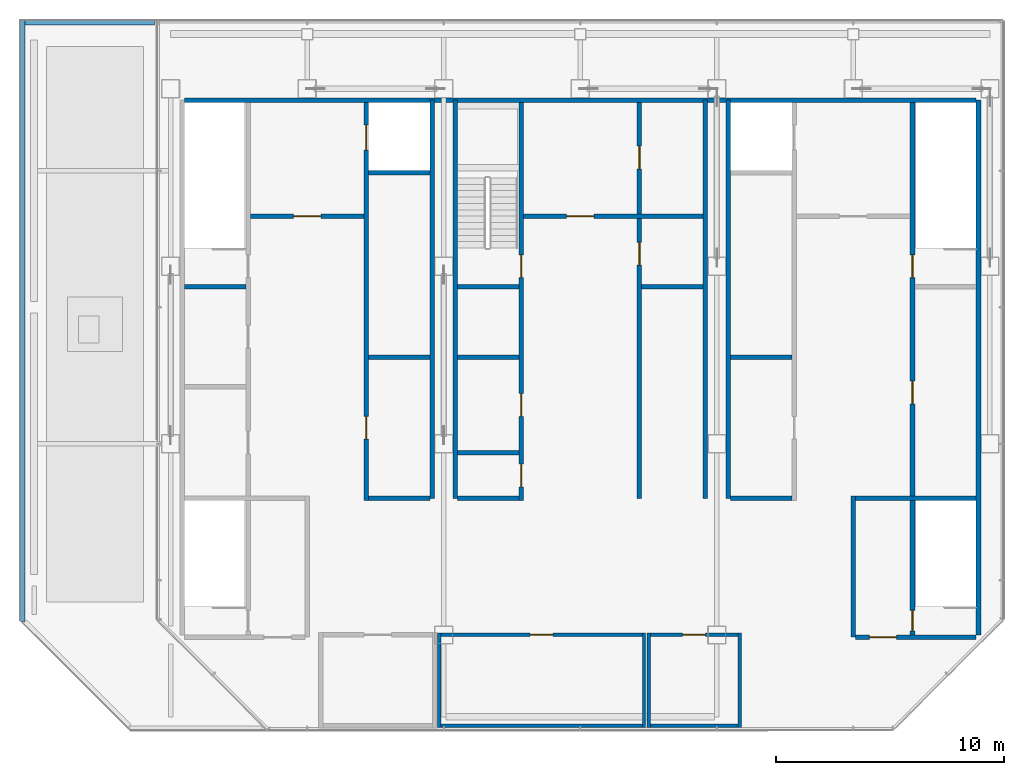
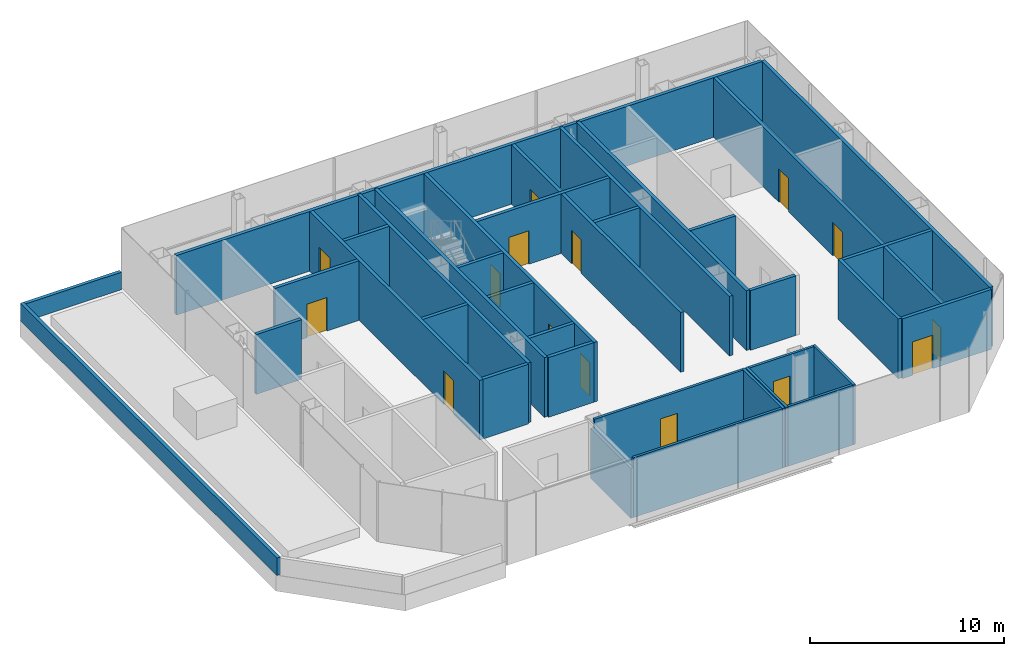
# One storey, part 9 of 12: 36 walls, 15 doors, 15 openings.
"""IFC4 building model written with IfcOpenShell, lengths in metres."""

from ifc_helpers import new_model, si_unit, direction, frame, frame_2d, origin, place, context, subcontext, project, spatial, rectangle, extrude, material, layer, layer_set, type_object, element, fill, save


model = new_model("IFC4")

# Units and contexts
model_context = context("Model", 3, precision=1e-05, world=origin(), true_north=direction((0.0, 1.0)))
body_context = subcontext(model_context, "Body", "Model", "MODEL_VIEW")
ifc_project = project(units=[si_unit("LENGTHUNIT", "METRE"), si_unit("AREAUNIT", "SQUARE_METRE"), si_unit("VOLUMEUNIT", "CUBIC_METRE"), si_unit("PLANEANGLEUNIT", "RADIAN"), si_unit("MASSUNIT", "GRAM", prefix="KILO")], contexts=[model_context])

# Site, building, storey
site_placement = place(None, origin())
site = spatial("IfcSite", under=ifc_project, at=site_placement, CompositionType="ELEMENT")
building_placement = place(site_placement, origin())
building = spatial("IfcBuilding", under=site, at=building_placement, Name="Sorahane Residences", CompositionType="ELEMENT")
storey_placement = place(building_placement, frame((0.0, 0.0, 353.800048828125)))
storey = spatial("IfcBuildingStorey", under=building, at=storey_placement, Name="L84", CompositionType="ELEMENT", Elevation=353.800048828125)

# Walls
ifc_material_1 = material(Name="Concrete C30", Category="concrete")
ifc_layer_1 = layer(ifc_material_1, 0.199951171875)
ifc_layer_set_1 = layer_set([ifc_layer_1], Name="Core face wall 200 EI 180")
wall_type_1 = type_object("IfcWallType", Name="Core face wall 200 EI 180", PredefinedType="SOLIDWALL", material=ifc_layer_set_1)
wall_1_placement = place(storey_placement, frame((41.5, 21.60009765625, 0.0), z_axis=(0.0, 0.0, 1.0), x_axis=(0.0, 1.0, 0.0)))
element("IfcWall", 1, at=wall_1_placement, inside=storey, type_object=wall_type_1, Name="L84 core face wall", PredefinedType="SOLIDWALL", context=body_context, shape_type="SweptSolid", body=[
    extrude(rectangle(XDim=23.5, YDim=0.199951171875, at=frame_2d((11.75, 0.0))), origin(), (0.0, 0.0, 1.0), 3.75),
])
wall_2_placement = place(storey_placement, frame((6.60009765625, 45.10009765625, 0.0), z_axis=(0.0, 0.0, 1.0), x_axis=(1.0, 0.0, 0.0)))
element("IfcWall", 2, at=wall_2_placement, inside=storey, type_object=wall_type_1, Name="L84 core face wall", PredefinedType="SOLIDWALL", context=body_context, shape_type="SweptSolid", body=[
    extrude(rectangle(XDim=34.7998046875, YDim=0.199951171875, at=frame_2d((17.39990234375, 0.0))), origin(), (0.0, 0.0, 1.0), 3.75),
])
for number, where, z_axis, x_axis, name in (
    (3, (17.5, 27.60009765625, 0.0), (0.0, 0.0, 1.0), (0.0, 1.0, 0.0), "L84 core face wall"),
    (4, (18.5, 27.60009765625, 0.0), (0.0, 0.0, 1.0), (0.0, 1.0, 0.0), "L84 core face wall"),
    (5, (29.5, 27.60009765625, 0.0), (0.0, 0.0, 1.0), (0.0, 1.0, 0.0), "L84 core face wall"),
    (6, (30.5, 27.60009765625, 0.0), (0.0, 0.0, 1.0), (0.0, 1.0, 0.0), "L84 core face wall"),
):
    element("IfcWall", number, at=place(storey_placement, frame(where, z_axis=z_axis, x_axis=x_axis)), inside=storey, type_object=wall_type_1, Name=name, PredefinedType="SOLIDWALL", context=body_context, shape_type="SweptSolid", body=[
        extrude(rectangle(XDim=17.5, YDim=0.199951171875, at=frame_2d((8.75, 0.0))), origin(), (0.0, 0.0, 1.0), 3.75),
    ])

# Wall, openings, doors
ifc_material_2 = material(Name="Concrete C30", Category="concrete")
ifc_layer_2 = layer(ifc_material_2, 0.199951171875)
ifc_layer_set_2 = layer_set([ifc_layer_2], Name="Front room wall 200 EI 120")
wall_type_2 = type_object("IfcWallType", Name="Front room wall 200 EI 120", PredefinedType="PARTITIONING", material=ifc_layer_set_2)
wall_3_placement = place(storey_placement, frame((26.60009765625, 27.60009765625, 0.0), z_axis=(0.0, 0.0, 1.0), x_axis=(0.0, 1.0, 0.0)))
wall_3 = element("IfcWall", 7, at=wall_3_placement, inside=storey, type_object=wall_type_2, Name="L84 front room wall", PredefinedType="PARTITIONING", context=body_context, shape_type="SweptSolid", body=[
    extrude(rectangle(XDim=17.39990234375, YDim=0.199951171875, at=frame_2d((8.699951171875, 0.0))), origin(), (0.0, 0.0, 1.0), 3.75),
])
opening_1_placement = place(wall_3_placement, frame((10.25, 0.0, 0.0)))
opening_1 = element("IfcOpeningElement", 8, at=opening_1_placement, cuts=wall_3, Name="Opening L84-C20", PredefinedType="OPENING", context=body_context, shape_type="SweptSolid", body=[
    extrude(rectangle(XDim=1.0, YDim=2.10009765625, at=frame_2d((0.5, 1.050048828125))), frame((0.0, 0.10986328125, 0.0), z_axis=(0.0, -1.0, 0.0), x_axis=(1.0, 0.0, 0.0)), (0.0, 0.0, 1.0), 0.219970703125),
])
opening_2_placement = place(wall_3_placement, frame((14.47509765625, 0.0, 0.0)))
opening_2 = element("IfcOpeningElement", 9, at=opening_2_placement, cuts=wall_3, Name="Opening L84-C21", PredefinedType="OPENING", context=body_context, shape_type="SweptSolid", body=[
    extrude(rectangle(XDim=1.0, YDim=2.10009765625, at=frame_2d((0.5, 1.050048828125))), frame((0.0, 0.10986328125, 0.0), z_axis=(0.0, -1.0, 0.0), x_axis=(1.0, 0.0, 0.0)), (0.0, 0.0, 1.0), 0.219970703125),
])
ifc_material_3 = material(Name="Steel", Category="steel")
door_type_1 = type_object("IfcDoorType", Name="Service room door 1000x2100 FD60", OperationType="NOTDEFINED", PredefinedType="DOOR", material=ifc_material_3)
door_1_placement = place(opening_1_placement, frame((1.0, 0.0, 0.0), z_axis=(0.0, 0.0, 1.0), x_axis=(-1.0, 0.0, 0.0)))
door_1 = element("IfcDoor", 10, at=door_1_placement, inside=storey, type_object=door_type_1, Name="Service room door Linen room L84", OperationType="SINGLE_SWING_LEFT", OverallHeight=2.10009765625, OverallWidth=1.0, PredefinedType="DOOR", context=body_context, shape_type="SweptSolid", body=[
    extrude(rectangle(XDim=1.0, YDim=2.10009765625, at=frame_2d((0.5, 1.050048828125))), frame((0.0, 0.02490234375, 0.0), z_axis=(0.0, -1.0, 0.0), x_axis=(1.0, 0.0, 0.0)), (0.0, 0.0, 1.0), 0.050048828125),
])
fill(opening_1, door_1)
door_2_placement = place(opening_2_placement, frame((1.0, 0.0, 0.0), z_axis=(0.0, 0.0, 1.0), x_axis=(-1.0, 0.0, 0.0)))
door_2 = element("IfcDoor", 11, at=door_2_placement, inside=storey, type_object=door_type_1, Name="Service room door Cleaners' store L84", OperationType="SINGLE_SWING_LEFT", OverallHeight=2.10009765625, OverallWidth=1.0, PredefinedType="DOOR", context=body_context, shape_type="SweptSolid", body=[
    extrude(rectangle(XDim=1.0, YDim=2.10009765625, at=frame_2d((0.5, 1.050048828125))), frame((0.0, 0.02490234375, 0.0), z_axis=(0.0, -1.0, 0.0), x_axis=(1.0, 0.0, 0.0)), (0.0, 0.0, 1.0), 0.050048828125),
])
fill(opening_2, door_2)

# Wall
wall_4_placement = place(storey_placement, frame((36.0, 21.5, 0.0), z_axis=(0.0, 0.0, 1.0), x_axis=(0.0, 1.0, 0.0)))
element("IfcWall", 12, at=wall_4_placement, inside=storey, type_object=wall_type_2, Name="L84 front room wall", PredefinedType="PARTITIONING", context=body_context, shape_type="SweptSolid", body=[
    extrude(rectangle(XDim=6.199951171875, YDim=0.199951171875, at=frame_2d((3.10009765625, 0.0))), origin(), (0.0, 0.0, 1.0), 3.75),
])

# Wall, opening, door
wall_5_placement = place(storey_placement, frame((21.5, 40.0, 0.0), z_axis=(0.0, 0.0, 1.0), x_axis=(1.0, 0.0, 0.0)))
wall_5 = element("IfcWall", 13, at=wall_5_placement, inside=storey, type_object=wall_type_2, Name="L84 front room wall", PredefinedType="PARTITIONING", context=body_context, shape_type="SweptSolid", body=[
    extrude(rectangle(XDim=7.89990234375, YDim=0.199951171875, at=frame_2d((3.949951171875, 0.0))), origin(), (0.0, 0.0, 1.0), 3.75),
])
opening_3_placement = place(wall_5_placement, frame((1.89990234375, 0.0, 0.0)))
opening_3 = element("IfcOpeningElement", 14, at=opening_3_placement, cuts=wall_5, Name="Opening L84-C04", PredefinedType="OPENING", context=body_context, shape_type="SweptSolid", body=[
    extrude(rectangle(XDim=1.199951171875, YDim=2.10009765625, at=frame_2d((0.60009765625, 1.050048828125))), frame((0.0, 0.10986328125, 0.0), z_axis=(0.0, -1.0, 0.0), x_axis=(1.0, 0.0, 0.0)), (0.0, 0.0, 1.0), 0.219970703125),
])
ifc_material_4 = material(Name="Steel", Category="steel")
door_type_2 = type_object("IfcDoorType", Name="Front room door 1200x2100 FD120", OperationType="NOTDEFINED", PredefinedType="DOOR", material=ifc_material_4)
door_3_placement = place(opening_3_placement, frame((1.199951171875, 0.0, 0.0), z_axis=(0.0, 0.0, 1.0), x_axis=(-1.0, 0.0, 0.0)))
door_3 = element("IfcDoor", 15, at=door_3_placement, inside=storey, type_object=door_type_2, Name="Front room door Stair S3 vestibule L84", OperationType="DOUBLE_DOOR_SINGLE_SWING", OverallHeight=2.10009765625, OverallWidth=1.199951171875, PredefinedType="DOOR", context=body_context, shape_type="SweptSolid", body=[
    extrude(rectangle(XDim=1.199951171875, YDim=2.10009765625, at=frame_2d((0.60009765625, 1.050048828125))), frame((0.0, 0.02490234375, 0.0), z_axis=(0.0, -1.0, 0.0), x_axis=(1.0, 0.0, 0.0)), (0.0, 0.0, 1.0), 0.050048828125),
])
fill(opening_3, door_3)

wall_6_placement = place(storey_placement, frame((9.5, 40.0, 0.0), z_axis=(0.0, 0.0, 1.0), x_axis=(1.0, 0.0, 0.0)))
wall_6 = element("IfcWall", 16, at=wall_6_placement, inside=storey, type_object=wall_type_2, Name="L84 front room wall", PredefinedType="PARTITIONING", context=body_context, shape_type="SweptSolid", body=[
    extrude(rectangle(XDim=5.0, YDim=0.199951171875, at=frame_2d((2.5, 0.0))), origin(), (0.0, 0.0, 1.0), 3.75),
])
opening_4_placement = place(wall_6_placement, frame((1.89990234375, 0.0, 0.0)))
opening_4 = element("IfcOpeningElement", 17, at=opening_4_placement, cuts=wall_6, Name="Opening L84-C03", PredefinedType="OPENING", context=body_context, shape_type="SweptSolid", body=[
    extrude(rectangle(XDim=1.199951171875, YDim=2.10009765625, at=frame_2d((0.60009765625, 1.050048828125))), frame((0.0, 0.10986328125, 0.0), z_axis=(0.0, -1.0, 0.0), x_axis=(1.0, 0.0, 0.0)), (0.0, 0.0, 1.0), 0.219970703125),
])
door_4_placement = place(opening_4_placement, frame((1.199951171875, 0.0, 0.0), z_axis=(0.0, 0.0, 1.0), x_axis=(-1.0, 0.0, 0.0)))
door_4 = element("IfcDoor", 18, at=door_4_placement, inside=storey, type_object=door_type_2, Name="Front room door Firefighting lobby FF1 front room L84", OperationType="DOUBLE_DOOR_SINGLE_SWING", OverallHeight=2.10009765625, OverallWidth=1.199951171875, PredefinedType="DOOR", context=body_context, shape_type="SweptSolid", body=[
    extrude(rectangle(XDim=1.199951171875, YDim=2.10009765625, at=frame_2d((0.60009765625, 1.050048828125))), frame((0.0, 0.02490234375, 0.0), z_axis=(0.0, -1.0, 0.0), x_axis=(1.0, 0.0, 0.0)), (0.0, 0.0, 1.0), 0.050048828125),
])
fill(opening_4, door_4)

# Wall, openings, doors
ifc_material_5 = material(Name="Concrete C30", Category="concrete")
ifc_layer_3 = layer(ifc_material_5, 0.199951171875)
ifc_layer_set_3 = layer_set([ifc_layer_3], Name="Lift shaft wall 200 EI 120")
wall_type_3 = type_object("IfcWallType", Name="Lift shaft wall 200 EI 120", PredefinedType="SOLIDWALL", material=ifc_layer_set_3)
wall_7_placement = place(storey_placement, frame((14.60009765625, 27.5, 0.0), z_axis=(0.0, 0.0, 1.0), x_axis=(0.0, 1.0, 0.0)))
wall_7 = element("IfcWall", 19, at=wall_7_placement, inside=storey, type_object=wall_type_3, Name="L84 lift shaft wall", PredefinedType="SOLIDWALL", context=body_context, shape_type="SweptSolid", body=[
    extrude(rectangle(XDim=17.5, YDim=0.199951171875, at=frame_2d((8.75, 0.0))), origin(), (0.0, 0.0, 1.0), 3.75),
])
opening_5_placement = place(wall_7_placement, frame((15.39990234375, 0.0, 0.0)))
opening_5 = element("IfcOpeningElement", 20, at=opening_5_placement, cuts=wall_7, Name="Opening L84-C07", PredefinedType="OPENING", context=body_context, shape_type="SweptSolid", body=[
    extrude(rectangle(XDim=1.10009765625, YDim=2.10009765625, at=frame_2d((0.550048828125, 1.050048828125))), frame((0.0, 0.10986328125, 0.0), z_axis=(0.0, -1.0, 0.0), x_axis=(1.0, 0.0, 0.0)), (0.0, 0.0, 1.0), 0.219970703125),
])
opening_6_placement = place(wall_7_placement, frame((2.699951171875, 0.0, 0.0)))
opening_6 = element("IfcOpeningElement", 21, at=opening_6_placement, cuts=wall_7, Name="Opening L84-C12", PredefinedType="OPENING", context=body_context, shape_type="SweptSolid", body=[
    extrude(rectangle(XDim=1.0, YDim=2.10009765625, at=frame_2d((0.5, 1.050048828125))), frame((0.0, 0.10986328125, 0.0), z_axis=(0.0, -1.0, 0.0), x_axis=(1.0, 0.0, 0.0)), (0.0, 0.0, 1.0), 0.219970703125),
])
ifc_material_6 = material(Name="Aluminium and stainless steel", Category="steel")
door_type_3 = type_object("IfcDoorType", Name="Lift landing door 1100x2100 E 60", OperationType="NOTDEFINED", PredefinedType="DOOR", material=ifc_material_6)
door_5_placement = place(opening_5_placement, origin())
door_5 = element("IfcDoor", 22, at=door_5_placement, inside=storey, type_object=door_type_3, Name="Lift landing door FF1 L84", OperationType="DOUBLE_DOOR_SLIDING", OverallHeight=2.10009765625, OverallWidth=1.10009765625, PredefinedType="DOOR", context=body_context, shape_type="SweptSolid", body=[
    extrude(rectangle(XDim=1.10009765625, YDim=2.10009765625, at=frame_2d((0.550048828125, 1.050048828125))), frame((0.0, 0.02490234375, 0.0), z_axis=(0.0, -1.0, 0.0), x_axis=(1.0, 0.0, 0.0)), (0.0, 0.0, 1.0), 0.050048828125),
])
fill(opening_5, door_5)
door_6_placement = place(opening_6_placement, frame((1.0, 0.0, 0.0), z_axis=(0.0, 0.0, 1.0), x_axis=(-1.0, 0.0, 0.0)))
door_6 = element("IfcDoor", 23, at=door_6_placement, inside=storey, type_object=door_type_1, Name="Service room door Gift store L84", OperationType="SINGLE_SWING_RIGHT", OverallHeight=2.10009765625, OverallWidth=1.0, PredefinedType="DOOR", context=body_context, shape_type="SweptSolid", body=[
    extrude(rectangle(XDim=1.0, YDim=2.10009765625, at=frame_2d((0.5, 1.050048828125))), frame((0.0, 0.02490234375, 0.0), z_axis=(0.0, -1.0, 0.0), x_axis=(1.0, 0.0, 0.0)), (0.0, 0.0, 1.0), 0.050048828125),
])
fill(opening_6, door_6)

# Walls
wall_8_placement = place(storey_placement, frame((14.699951171875, 41.89990234375, 0.0), z_axis=(0.0, 0.0, 1.0), x_axis=(1.0, 0.0, 0.0)))
element("IfcWall", 24, at=wall_8_placement, inside=storey, type_object=wall_type_3, Name="L84 lift shaft wall", PredefinedType="SOLIDWALL", context=body_context, shape_type="SweptSolid", body=[
    extrude(rectangle(XDim=2.699951171875, YDim=0.199951171875, at=frame_2d((1.35009765625, 0.0))), origin(), (0.0, 0.0, 1.0), 3.75),
])
ifc_material_7 = material(Name="Concrete C35", Category="concrete")
ifc_layer_4 = layer(ifc_material_7, 0.199951171875)
ifc_layer_set_4 = layer_set([ifc_layer_4], Name="Parapet wall Concrete C35 200")
wall_type_4 = type_object("IfcWallType", Name="Parapet wall Concrete C35 200", PredefinedType="PARAPET", material=ifc_layer_set_4)
wall_9_placement = place(storey_placement, frame((-0.5, 22.19287109375, 0.0), z_axis=(0.0, 0.0, 1.0), x_axis=(0.0, 1.0, 0.0)))
element("IfcWall", 25, at=wall_9_placement, inside=storey, type_object=wall_type_4, Name="Roof parapet L84.1.1.3", PredefinedType="PARAPET", context=body_context, shape_type="SweptSolid", body=[
    extrude(rectangle(XDim=26.4072265625, YDim=0.199951171875, at=frame_2d((13.20361328125, 0.0))), origin(), (0.0, 0.0, 1.0), 1.099853515625),
])
wall_10_placement = place(storey_placement, frame((-0.39990234375, 48.5, 0.0), z_axis=(0.0, 0.0, 1.0), x_axis=(1.0, 0.0, 0.0)))
element("IfcWall", 26, at=wall_10_placement, inside=storey, type_object=wall_type_4, Name="Roof parapet L84.1.1.4", PredefinedType="PARAPET", context=body_context, shape_type="SweptSolid", body=[
    extrude(rectangle(XDim=5.699951171875, YDim=0.199951171875, at=frame_2d((2.85009765625, 0.0))), origin(), (0.0, 0.0, 1.0), 1.099853515625),
])
ifc_material_8 = material(Name="Gypsum board partition on steel studs", Category="steel")
ifc_layer_5 = layer(ifc_material_8, 0.14990234375)
ifc_layer_set_5 = layer_set([ifc_layer_5], Name="Partition 150 EI 90")
wall_type_5 = type_object("IfcWallType", Name="Partition 150 EI 90", PredefinedType="PARTITIONING", material=ifc_layer_set_5)
wall_11_placement = place(storey_placement, frame((17.800048828125, 17.52490234375, 0.0), z_axis=(0.0, 0.0, 1.0), x_axis=(0.0, 1.0, 0.0)))
element("IfcWall", 27, at=wall_11_placement, inside=storey, type_object=wall_type_5, Name="L84 partition", PredefinedType="PARTITIONING", context=body_context, shape_type="SweptSolid", body=[
    extrude(rectangle(XDim=4.150146484375, YDim=0.14990234375, at=frame_2d((2.0751953125, 0.0))), origin(), (0.0, 0.0, 1.0), 3.14990234375),
])
for number, where, z_axis, x_axis, name in (
    (28, (26.800048828125, 17.52490234375, 0.0), (0.0, 0.0, 1.0), (0.0, 1.0, 0.0), "L84 partition"),
    (29, (27.0, 17.52490234375, 0.0), (0.0, 0.0, 1.0), (0.0, 1.0, 0.0), "L84 partition"),
    (30, (31.0, 17.52490234375, 0.0), (0.0, 0.0, 1.0), (0.0, 1.0, 0.0), "L84 partition"),
):
    element("IfcWall", number, at=place(storey_placement, frame(where, z_axis=z_axis, x_axis=x_axis)), inside=storey, type_object=wall_type_5, Name=name, PredefinedType="PARTITIONING", context=body_context, shape_type="SweptSolid", body=[
        extrude(rectangle(XDim=4.150146484375, YDim=0.14990234375, at=frame_2d((2.0751953125, 0.0))), origin(), (0.0, 0.0, 1.0), 3.75),
    ])
wall_12_placement = place(storey_placement, frame((17.875, 17.60009765625, 0.0), z_axis=(0.0, 0.0, 1.0), x_axis=(1.0, 0.0, 0.0)))
element("IfcWall", 31, at=wall_12_placement, inside=storey, type_object=wall_type_5, Name="L84 partition", PredefinedType="PARTITIONING", context=body_context, shape_type="SweptSolid", body=[
    extrude(rectangle(XDim=8.85009765625, YDim=0.14990234375, at=frame_2d((4.425048828125, 0.0))), origin(), (0.0, 0.0, 1.0), 3.75),
])
wall_13_placement = place(storey_placement, frame((27.074951171875, 17.60009765625, 0.0), z_axis=(0.0, 0.0, 1.0), x_axis=(1.0, 0.0, 0.0)))
element("IfcWall", 32, at=wall_13_placement, inside=storey, type_object=wall_type_5, Name="L84 partition", PredefinedType="PARTITIONING", context=body_context, shape_type="SweptSolid", body=[
    extrude(rectangle(XDim=3.85009765625, YDim=0.14990234375, at=frame_2d((1.925048828125, 0.0))), origin(), (0.0, 0.0, 1.0), 3.75),
])

# Wall, opening, door
wall_14_placement = place(storey_placement, frame((17.875, 21.60009765625, 0.0), z_axis=(0.0, 0.0, 1.0), x_axis=(1.0, 0.0, 0.0)))
wall_14 = element("IfcWall", 33, at=wall_14_placement, inside=storey, type_object=wall_type_5, Name="L84 partition", PredefinedType="PARTITIONING", context=body_context, shape_type="SweptSolid", body=[
    extrude(rectangle(XDim=8.85009765625, YDim=0.14990234375, at=frame_2d((4.425048828125, 0.0))), origin(), (0.0, 0.0, 1.0), 3.75),
])
opening_7_placement = place(wall_14_placement, frame((3.925048828125, 0.0, 0.0)))
opening_7 = element("IfcOpeningElement", 34, at=opening_7_placement, cuts=wall_14, Name="Opening L84-02", PredefinedType="OPENING", context=body_context, shape_type="SweptSolid", body=[
    extrude(rectangle(XDim=1.0, YDim=2.39990234375, at=frame_2d((0.5, 1.199951171875))), frame((0.0, 0.0849609375, 0.0), z_axis=(0.0, -1.0, 0.0), x_axis=(1.0, 0.0, 0.0)), (0.0, 0.0, 1.0), 0.169921875),
])
ifc_material_9 = material(Name="Timber veneered fire door", Category="wood")
door_type_4 = type_object("IfcDoorType", Name="Room door 1000x2400 FD30", OperationType="NOTDEFINED", PredefinedType="DOOR", material=ifc_material_9)
door_7_placement = place(opening_7_placement, origin())
door_7 = element("IfcDoor", 35, at=door_7_placement, inside=storey, type_object=door_type_4, Name="Room door L84-02", OperationType="SINGLE_SWING_RIGHT", OverallHeight=2.39990234375, OverallWidth=1.0, PredefinedType="DOOR", context=body_context, shape_type="SweptSolid", body=[
    extrude(rectangle(XDim=1.0, YDim=2.39990234375, at=frame_2d((0.5, 1.199951171875))), frame((0.0, 0.02490234375, 0.0), z_axis=(0.0, -1.0, 0.0), x_axis=(1.0, 0.0, 0.0)), (0.0, 0.0, 1.0), 0.050048828125),
])
fill(opening_7, door_7)

wall_15_placement = place(storey_placement, frame((27.074951171875, 21.60009765625, 0.0), z_axis=(0.0, 0.0, 1.0), x_axis=(1.0, 0.0, 0.0)))
wall_15 = element("IfcWall", 36, at=wall_15_placement, inside=storey, type_object=wall_type_5, Name="L84 partition", PredefinedType="PARTITIONING", context=body_context, shape_type="SweptSolid", body=[
    extrude(rectangle(XDim=3.85009765625, YDim=0.14990234375, at=frame_2d((1.925048828125, 0.0))), origin(), (0.0, 0.0, 1.0), 3.75),
])
opening_8_placement = place(wall_15_placement, frame((1.425048828125, 0.0, 0.0)))
opening_8 = element("IfcOpeningElement", 37, at=opening_8_placement, cuts=wall_15, Name="Opening L84-03", PredefinedType="OPENING", context=body_context, shape_type="SweptSolid", body=[
    extrude(rectangle(XDim=1.0, YDim=2.39990234375, at=frame_2d((0.5, 1.199951171875))), frame((0.0, 0.0849609375, 0.0), z_axis=(0.0, -1.0, 0.0), x_axis=(1.0, 0.0, 0.0)), (0.0, 0.0, 1.0), 0.169921875),
])
door_8_placement = place(opening_8_placement, frame((1.0, 0.0, 0.0), z_axis=(0.0, 0.0, 1.0), x_axis=(-1.0, 0.0, 0.0)))
door_8 = element("IfcDoor", 38, at=door_8_placement, inside=storey, type_object=door_type_4, Name="Room door L84-03", OperationType="SINGLE_SWING_RIGHT", OverallHeight=2.39990234375, OverallWidth=1.0, PredefinedType="DOOR", context=body_context, shape_type="SweptSolid", body=[
    extrude(rectangle(XDim=1.0, YDim=2.39990234375, at=frame_2d((0.5, 1.199951171875))), frame((0.0, 0.02490234375, 0.0), z_axis=(0.0, -1.0, 0.0), x_axis=(1.0, 0.0, 0.0)), (0.0, 0.0, 1.0), 0.050048828125),
])
fill(opening_8, door_8)

# Walls
ifc_material_10 = material(Name="Concrete C30", Category="concrete")
ifc_layer_6 = layer(ifc_material_10, 0.199951171875)
ifc_layer_set_6 = layer_set([ifc_layer_6], Name="Service room partition 200 EI 60")
wall_type_6 = type_object("IfcWallType", Name="Service room partition 200 EI 60", PredefinedType="PARTITIONING", material=ifc_layer_set_6)
for number, where, z_axis, x_axis, name in (
    (39, (14.699951171875, 27.60009765625, 0.0), (0.0, 0.0, 1.0), (1.0, 0.0, 0.0), "L84 service room wall"),
    (40, (18.60009765625, 27.60009765625, 0.0), (0.0, 0.0, 1.0), (1.0, 0.0, 0.0), "L84 service room wall"),
    (41, (30.60009765625, 27.60009765625, 0.0), (0.0, 0.0, 1.0), (1.0, 0.0, 0.0), "L84 service room wall"),
    (42, (18.60009765625, 29.60009765625, 0.0), (0.0, 0.0, 1.0), (1.0, 0.0, 0.0), "L84 service room wall"),
    (43, (14.699951171875, 33.800048828125, 0.0), (0.0, 0.0, 1.0), (1.0, 0.0, 0.0), "L84 service room wall"),
    (44, (18.60009765625, 33.800048828125, 0.0), (0.0, 0.0, 1.0), (1.0, 0.0, 0.0), "L84 service room wall"),
    (45, (30.60009765625, 33.800048828125, 0.0), (0.0, 0.0, 1.0), (1.0, 0.0, 0.0), "L84 service room wall"),
    (46, (26.699951171875, 36.89990234375, 0.0), (0.0, 0.0, 1.0), (1.0, 0.0, 0.0), "L84 service room wall"),
):
    element("IfcWall", number, at=place(storey_placement, frame(where, z_axis=z_axis, x_axis=x_axis)), inside=storey, type_object=wall_type_6, Name=name, PredefinedType="PARTITIONING", context=body_context, shape_type="SweptSolid", body=[
        extrude(rectangle(XDim=2.699951171875, YDim=0.199951171875, at=frame_2d((1.35009765625, 0.0))), origin(), (0.0, 0.0, 1.0), 3.75),
    ])

# Wall, openings, doors
ifc_material_11 = material(Name="Concrete C30", Category="concrete")
ifc_layer_7 = layer(ifc_material_11, 0.199951171875)
ifc_layer_set_7 = layer_set([ifc_layer_7], Name="Stair enclosure wall 200 EI 120")
wall_type_7 = type_object("IfcWallType", Name="Stair enclosure wall 200 EI 120", PredefinedType="SOLIDWALL", material=ifc_layer_set_7)
wall_16_placement = place(storey_placement, frame((21.39990234375, 27.5, 0.0), z_axis=(0.0, 0.0, 1.0), x_axis=(0.0, 1.0, 0.0)))
wall_16 = element("IfcWall", 47, at=wall_16_placement, inside=storey, type_object=wall_type_7, Name="L84 stair enclosure wall", PredefinedType="SOLIDWALL", context=body_context, shape_type="SweptSolid", body=[
    extrude(rectangle(XDim=17.5, YDim=0.199951171875, at=frame_2d((8.75, 0.0))), origin(), (0.0, 0.0, 1.0), 3.75),
])
opening_9_placement = place(wall_16_placement, frame((0.60009765625, 0.0, 0.0)))
opening_9 = element("IfcOpeningElement", 48, at=opening_9_placement, cuts=wall_16, Name="Opening L84-C08", PredefinedType="OPENING", context=body_context, shape_type="SweptSolid", body=[
    extrude(rectangle(XDim=1.0, YDim=2.10009765625, at=frame_2d((0.5, 1.050048828125))), frame((0.0, 0.10986328125, 0.0), z_axis=(0.0, -1.0, 0.0), x_axis=(1.0, 0.0, 0.0)), (0.0, 0.0, 1.0), 0.219970703125),
])
opening_10_placement = place(wall_16_placement, frame((3.699951171875, 0.0, 0.0)))
opening_10 = element("IfcOpeningElement", 49, at=opening_10_placement, cuts=wall_16, Name="Opening L84-C09", PredefinedType="OPENING", context=body_context, shape_type="SweptSolid", body=[
    extrude(rectangle(XDim=1.0, YDim=2.10009765625, at=frame_2d((0.5, 1.050048828125))), frame((0.0, 0.10986328125, 0.0), z_axis=(0.0, -1.0, 0.0), x_axis=(1.0, 0.0, 0.0)), (0.0, 0.0, 1.0), 0.219970703125),
])
opening_11_placement = place(wall_16_placement, frame((9.800048828125, 0.0, 0.0)))
opening_11 = element("IfcOpeningElement", 50, at=opening_11_placement, cuts=wall_16, Name="Opening L84-C17", PredefinedType="OPENING", context=body_context, shape_type="SweptSolid", body=[
    extrude(rectangle(XDim=1.0, YDim=2.10009765625, at=frame_2d((0.5, 1.050048828125))), frame((0.0, 0.10986328125, 0.0), z_axis=(0.0, -1.0, 0.0), x_axis=(1.0, 0.0, 0.0)), (0.0, 0.0, 1.0), 0.219970703125),
])
door_9_placement = place(opening_9_placement, origin())
door_9 = element("IfcDoor", 51, at=door_9_placement, inside=storey, type_object=door_type_1, Name="Service room door Wine store L84", OperationType="SINGLE_SWING_LEFT", OverallHeight=2.10009765625, OverallWidth=1.0, PredefinedType="DOOR", context=body_context, shape_type="SweptSolid", body=[
    extrude(rectangle(XDim=1.0, YDim=2.10009765625, at=frame_2d((0.5, 1.050048828125))), frame((0.0, 0.02490234375, 0.0), z_axis=(0.0, -1.0, 0.0), x_axis=(1.0, 0.0, 0.0)), (0.0, 0.0, 1.0), 0.050048828125),
])
fill(opening_9, door_9)
door_10_placement = place(opening_10_placement, origin())
door_10 = element("IfcDoor", 52, at=door_10_placement, inside=storey, type_object=door_type_1, Name="Service room door Games room L84", OperationType="SINGLE_SWING_RIGHT", OverallHeight=2.10009765625, OverallWidth=1.0, PredefinedType="DOOR", context=body_context, shape_type="SweptSolid", body=[
    extrude(rectangle(XDim=1.0, YDim=2.10009765625, at=frame_2d((0.5, 1.050048828125))), frame((0.0, 0.02490234375, 0.0), z_axis=(0.0, -1.0, 0.0), x_axis=(1.0, 0.0, 0.0)), (0.0, 0.0, 1.0), 0.050048828125),
])
fill(opening_10, door_10)
ifc_material_12 = material(Name="Steel", Category="steel")
door_type_5 = type_object("IfcDoorType", Name="Stair door 1000x2100 FD120", OperationType="NOTDEFINED", PredefinedType="DOOR", material=ifc_material_12)
door_11_placement = place(opening_11_placement, origin())
door_11 = element("IfcDoor", 53, at=door_11_placement, inside=storey, type_object=door_type_5, Name="Stair door S3 L84", OperationType="SINGLE_SWING_LEFT", OverallHeight=2.10009765625, OverallWidth=1.0, PredefinedType="DOOR", context=body_context, shape_type="SweptSolid", body=[
    extrude(rectangle(XDim=1.0, YDim=2.10009765625, at=frame_2d((0.5, 1.050048828125))), frame((0.0, 0.02490234375, 0.0), z_axis=(0.0, -1.0, 0.0), x_axis=(1.0, 0.0, 0.0)), (0.0, 0.0, 1.0), 0.050048828125),
])
fill(opening_11, door_11)

wall_17_placement = place(storey_placement, frame((38.60009765625, 21.5, 0.0), z_axis=(0.0, 0.0, 1.0), x_axis=(0.0, 1.0, 0.0)))
wall_17 = element("IfcWall", 54, at=wall_17_placement, inside=storey, type_object=wall_type_7, Name="L84 stair enclosure wall", PredefinedType="SOLIDWALL", context=body_context, shape_type="SweptSolid", body=[
    extrude(rectangle(XDim=23.5, YDim=0.199951171875, at=frame_2d((11.75, 0.0))), origin(), (0.0, 0.0, 1.0), 3.75),
])
opening_12_placement = place(wall_17_placement, frame((10.25, 0.0, 0.0)))
opening_12 = element("IfcOpeningElement", 55, at=opening_12_placement, cuts=wall_17, Name="Opening L84-C10", PredefinedType="OPENING", context=body_context, shape_type="SweptSolid", body=[
    extrude(rectangle(XDim=1.0, YDim=2.10009765625, at=frame_2d((0.5, 1.050048828125))), frame((0.0, 0.10986328125, 0.0), z_axis=(0.0, -1.0, 0.0), x_axis=(1.0, 0.0, 0.0)), (0.0, 0.0, 1.0), 0.219970703125),
])
opening_13_placement = place(wall_17_placement, frame((15.800048828125, 0.0, 0.0)))
opening_13 = element("IfcOpeningElement", 56, at=opening_13_placement, cuts=wall_17, Name="Opening L84-C16", PredefinedType="OPENING", context=body_context, shape_type="SweptSolid", body=[
    extrude(rectangle(XDim=1.0, YDim=2.10009765625, at=frame_2d((0.5, 1.050048828125))), frame((0.0, 0.10986328125, 0.0), z_axis=(0.0, -1.0, 0.0), x_axis=(1.0, 0.0, 0.0)), (0.0, 0.0, 1.0), 0.219970703125),
])
opening_14_placement = place(wall_17_placement, frame((0.27490234375, 0.0, 0.0)))
opening_14 = element("IfcOpeningElement", 57, at=opening_14_placement, cuts=wall_17, Name="Opening L84-C19", PredefinedType="OPENING", context=body_context, shape_type="SweptSolid", body=[
    extrude(rectangle(XDim=0.89990234375, YDim=2.10009765625, at=frame_2d((0.449951171875, 1.050048828125))), frame((0.0, 0.10986328125, 0.0), z_axis=(0.0, -1.0, 0.0), x_axis=(1.0, 0.0, 0.0)), (0.0, 0.0, 1.0), 0.219970703125),
])
door_12_placement = place(opening_12_placement, frame((1.0, 0.0, 0.0), z_axis=(0.0, 0.0, 1.0), x_axis=(-1.0, 0.0, 0.0)))
door_12 = element("IfcDoor", 58, at=door_12_placement, inside=storey, type_object=door_type_1, Name="Service room door Valet store L84", OperationType="SINGLE_SWING_LEFT", OverallHeight=2.10009765625, OverallWidth=1.0, PredefinedType="DOOR", context=body_context, shape_type="SweptSolid", body=[
    extrude(rectangle(XDim=1.0, YDim=2.10009765625, at=frame_2d((0.5, 1.050048828125))), frame((0.0, 0.02490234375, 0.0), z_axis=(0.0, -1.0, 0.0), x_axis=(1.0, 0.0, 0.0)), (0.0, 0.0, 1.0), 0.050048828125),
])
fill(opening_12, door_12)
door_13_placement = place(opening_13_placement, frame((1.0, 0.0, 0.0), z_axis=(0.0, 0.0, 1.0), x_axis=(-1.0, 0.0, 0.0)))
door_13 = element("IfcDoor", 59, at=door_13_placement, inside=storey, type_object=door_type_5, Name="Stair door S2 L84", OperationType="SINGLE_SWING_LEFT", OverallHeight=2.10009765625, OverallWidth=1.0, PredefinedType="DOOR", context=body_context, shape_type="SweptSolid", body=[
    extrude(rectangle(XDim=1.0, YDim=2.10009765625, at=frame_2d((0.5, 1.050048828125))), frame((0.0, 0.02490234375, 0.0), z_axis=(0.0, -1.0, 0.0), x_axis=(1.0, 0.0, 0.0)), (0.0, 0.0, 1.0), 0.050048828125),
])
fill(opening_13, door_13)
ifc_material_13 = material(Name="Steel", Category="steel")
door_type_6 = type_object("IfcDoorType", Name="Stair door 900x2100 FD120", OperationType="NOTDEFINED", PredefinedType="DOOR", material=ifc_material_13)
door_14_placement = place(opening_14_placement, frame((0.89990234375, 0.0, 0.0), z_axis=(0.0, 0.0, 1.0), x_axis=(-1.0, 0.0, 0.0)))
door_14 = element("IfcDoor", 60, at=door_14_placement, inside=storey, type_object=door_type_6, Name="Stair door S5 L84", OperationType="SINGLE_SWING_LEFT", OverallHeight=2.10009765625, OverallWidth=0.89990234375, PredefinedType="DOOR", context=body_context, shape_type="SweptSolid", body=[
    extrude(rectangle(XDim=0.89990234375, YDim=2.10009765625, at=frame_2d((0.449951171875, 1.050048828125))), frame((0.0, 0.02490234375, 0.0), z_axis=(0.0, -1.0, 0.0), x_axis=(1.0, 0.0, 0.0)), (0.0, 0.0, 1.0), 0.050048828125),
])
fill(opening_14, door_14)

# Wall, opening, door
wall_18_placement = place(storey_placement, frame((36.10009765625, 21.5, 0.0), z_axis=(0.0, 0.0, 1.0), x_axis=(1.0, 0.0, 0.0)))
wall_18 = element("IfcWall", 61, at=wall_18_placement, inside=storey, type_object=wall_type_7, Name="L84 stair enclosure wall", PredefinedType="SOLIDWALL", context=body_context, shape_type="SweptSolid", body=[
    extrude(rectangle(XDim=5.2998046875, YDim=0.199951171875, at=frame_2d((2.64990234375, 0.0))), origin(), (0.0, 0.0, 1.0), 3.75),
])
opening_15_placement = place(wall_18_placement, frame((0.60009765625, 0.0, 0.0)))
opening_15 = element("IfcOpeningElement", 62, at=opening_15_placement, cuts=wall_18, Name="Opening L84-C02", PredefinedType="OPENING", context=body_context, shape_type="SweptSolid", body=[
    extrude(rectangle(XDim=1.199951171875, YDim=2.10009765625, at=frame_2d((0.60009765625, 1.050048828125))), frame((0.0, 0.10986328125, 0.0), z_axis=(0.0, -1.0, 0.0), x_axis=(1.0, 0.0, 0.0)), (0.0, 0.0, 1.0), 0.219970703125),
])
ifc_material_14 = material(Name="Steel", Category="steel")
door_type_7 = type_object("IfcDoorType", Name="Stair front room door 1200x2100 FD120", OperationType="NOTDEFINED", PredefinedType="DOOR", material=ifc_material_14)
door_15_placement = place(opening_15_placement, frame((1.199951171875, 0.0, 0.0), z_axis=(0.0, 0.0, 1.0), x_axis=(-1.0, 0.0, 0.0)))
door_15 = element("IfcDoor", 63, at=door_15_placement, inside=storey, type_object=door_type_7, Name="Stair front room door Stair S5 front room L84", OperationType="SINGLE_SWING_RIGHT", OverallHeight=2.10009765625, OverallWidth=1.199951171875, PredefinedType="DOOR", context=body_context, shape_type="SweptSolid", body=[
    extrude(rectangle(XDim=1.199951171875, YDim=2.10009765625, at=frame_2d((0.60009765625, 1.050048828125))), frame((0.0, 0.02490234375, 0.0), z_axis=(0.0, -1.0, 0.0), x_axis=(1.0, 0.0, 0.0)), (0.0, 0.0, 1.0), 0.050048828125),
])
fill(opening_15, door_15)

# Walls
wall_19_placement = place(storey_placement, frame((36.10009765625, 27.60009765625, 0.0), z_axis=(0.0, 0.0, 1.0), x_axis=(1.0, 0.0, 0.0)))
element("IfcWall", 64, at=wall_19_placement, inside=storey, type_object=wall_type_7, Name="L84 stair enclosure wall", PredefinedType="SOLIDWALL", context=body_context, shape_type="SweptSolid", body=[
    extrude(rectangle(XDim=5.2998046875, YDim=0.199951171875, at=frame_2d((2.64990234375, 0.0))), origin(), (0.0, 0.0, 1.0), 3.75),
])
for number, where, z_axis, x_axis, name in (
    (65, (18.60009765625, 36.89990234375, 0.0), (0.0, 0.0, 1.0), (1.0, 0.0, 0.0), "L84 stair enclosure wall"),
    (66, (6.60009765625, 36.89990234375, 0.0), (0.0, 0.0, 1.0), (1.0, 0.0, 0.0), "L84 stair enclosure wall"),
):
    element("IfcWall", number, at=place(storey_placement, frame(where, z_axis=z_axis, x_axis=x_axis)), inside=storey, type_object=wall_type_7, Name=name, PredefinedType="SOLIDWALL", context=body_context, shape_type="SweptSolid", body=[
        extrude(rectangle(XDim=2.699951171875, YDim=0.199951171875, at=frame_2d((1.35009765625, 0.0))), origin(), (0.0, 0.0, 1.0), 3.75),
    ])

save(model, "model.ifc")
